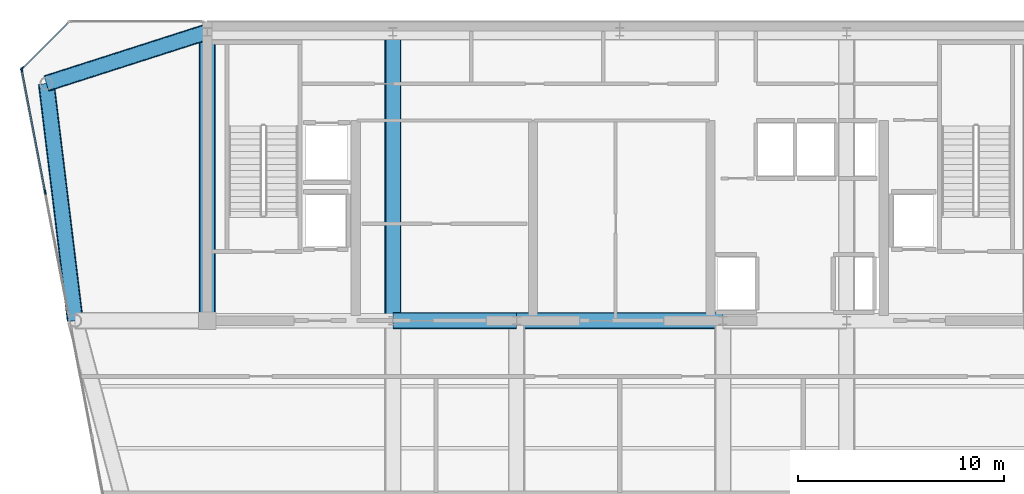
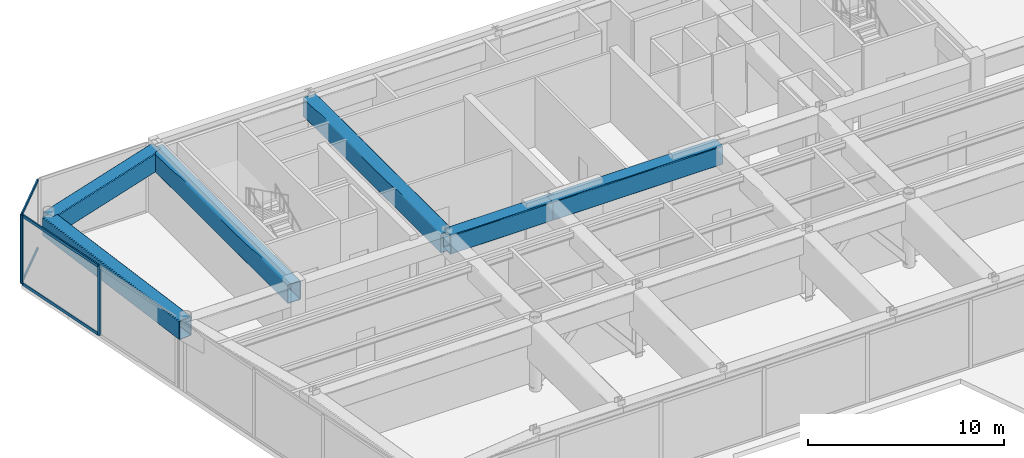
# One storey, part 4 of 14: 7 members, 6 beams, 2 elements without a shape of their own.
"""IFC4 building model written with IfcOpenShell, lengths in metres."""

from ifc_helpers import new_model, si_unit, direction, frame, origin, origin_2d, place, context, subcontext, project, spatial, rectangle, hollow_rectangle, extrude, source, transform, mapped, material, layer, layer_set, material_profile, profile_set, type_object, element, aggregate, save


model = new_model("IFC4")

# Units and contexts
model_context = context("Model", 3, precision=1e-05, world=origin(), true_north=direction((0.0, 1.0)))
body_context = subcontext(model_context, "Body", "Model", "MODEL_VIEW")
ifc_project = project(units=[si_unit("LENGTHUNIT", "METRE"), si_unit("AREAUNIT", "SQUARE_METRE"), si_unit("VOLUMEUNIT", "CUBIC_METRE"), si_unit("PLANEANGLEUNIT", "RADIAN"), si_unit("MASSUNIT", "GRAM", prefix="KILO")], contexts=[model_context])

# Site, building, storey
site_placement = place(None, origin())
site = spatial("IfcSite", under=ifc_project, at=site_placement, CompositionType="ELEMENT")
building_placement = place(site_placement, origin())
building = spatial("IfcBuilding", under=site, at=building_placement, Name="Vaeldorn Concourse Tower", CompositionType="ELEMENT")
storey_placement = place(building_placement, frame((0.0, 0.0, 303.800048828125)))
storey = spatial("IfcBuildingStorey", under=building, at=storey_placement, Name="L78", CompositionType="ELEMENT", Elevation=303.800048828125)

# Beams
ifc_material_1 = material(Name="Steel S460", Category="steel")
ifc_material_profile_1 = material_profile(ifc_material_1, hollow_rectangle(XDim=0.800048828125, YDim=1.199951171875, WallThickness=0.044921875, InnerFilletRadius=0.044921875, OuterFilletRadius=0.090087890625, at=origin_2d()), Name="RHS 1200x800x45")
ifc_profile_set_1 = profile_set([ifc_material_profile_1], Name="Steel S460")
beam_type = type_object("IfcBeamType", Name="BM-TG-RHS1200", PredefinedType="BEAM", material=ifc_profile_set_1)
shared_shape_1 = source(origin(), body_context, "Body", "SweptSolid", [
    extrude(hollow_rectangle(XDim=0.800048828125, YDim=1.199951171875, WallThickness=0.044921875, InnerFilletRadius=0.044921875, OuterFilletRadius=0.090087890625, at=origin_2d()), origin(), (0.0, 0.0, 1.0), 6.0),
])
beam_1_placement = place(storey_placement, frame((23.0, 36.5, 3.699951171875), z_axis=(1.0, 0.0, 0.0), x_axis=(0.0, 1.0, 0.0)))
element("IfcBeam", 1, at=beam_1_placement, inside=storey, type_object=beam_type, Name="Beam BM-L78-C-FC2-C-FC3", PredefinedType="BEAM", context=body_context, shape_type="MappedRepresentation", body=[
    mapped(shared_shape_1, transform((0.0, 0.0, 0.0), scale=1.0)),
])
shared_shape_2 = source(origin(), body_context, "Body", "SweptSolid", [
    extrude(hollow_rectangle(XDim=0.800048828125, YDim=1.199951171875, WallThickness=0.044921875, InnerFilletRadius=0.044921875, OuterFilletRadius=0.090087890625, at=origin_2d()), origin(), (0.0, 0.0, 1.0), 10.0),
])
beam_2_placement = place(storey_placement, frame((29.0, 36.5, 3.699951171875), z_axis=(1.0, 0.0, 0.0), x_axis=(0.0, 1.0, 0.0)))
element("IfcBeam", 2, at=beam_2_placement, inside=storey, type_object=beam_type, Name="Beam BM-L78-C-FC3-C-FC4", PredefinedType="BEAM", context=body_context, shape_type="MappedRepresentation", body=[
    mapped(shared_shape_2, transform((0.0, 0.0, 0.0), scale=1.0)),
])
shared_shape_3 = source(origin(), body_context, "Body", "SweptSolid", [
    extrude(hollow_rectangle(XDim=0.800048828125, YDim=1.199951171875, WallThickness=0.044921875, InnerFilletRadius=0.044921875, OuterFilletRadius=0.090087890625, at=origin_2d()), origin(), (0.0, 0.0, 1.0), 14.0),
])
for number, where, z_axis, x_axis, name in (
    (3, (14.0, 36.5, 3.699951171875), (0.0, 1.0, 0.0), (-1.0, 0.0, 0.0), "Beam BM-L78-C-FC1-C-HC1"),
    (4, (23.0, 36.5, 3.699951171875), (0.0, 1.0, 0.0), (-1.0, 0.0, 0.0), "Beam BM-L78-C-FC2-C-HC2"),
):
    element("IfcBeam", number, at=place(storey_placement, frame(where, z_axis=z_axis, x_axis=x_axis)), inside=storey, type_object=beam_type, Name=name, PredefinedType="BEAM", context=body_context, shape_type="MappedRepresentation", body=[
        mapped(shared_shape_3, transform((0.0, 0.0, 0.0), scale=1.0)),
    ])
shared_shape_4 = source(origin(), body_context, "Body", "SweptSolid", [
    extrude(hollow_rectangle(XDim=0.800048828125, YDim=1.199951171875, WallThickness=0.044921875, InnerFilletRadius=0.044921875, OuterFilletRadius=0.090087890625, at=origin_2d()), origin(), (0.0, 0.0, 1.0), 8.19091796875),
])
beam_3_placement = place(storey_placement, frame((6.199951171875, 48.0, 3.699951171875), z_axis=(0.952282843383, 0.305216949396, 0.0), x_axis=(-0.305216949396, 0.952282843383, 0.0)))
element("IfcBeam", 5, at=beam_3_placement, inside=storey, type_object=beam_type, Name="Beam BM-L78-C-NW1-C-HC1", PredefinedType="BEAM", context=body_context, shape_type="MappedRepresentation", body=[
    mapped(shared_shape_4, transform((0.0, 0.0, 0.0), scale=1.0)),
])
shared_shape_5 = source(origin(), body_context, "Body", "SweptSolid", [
    extrude(hollow_rectangle(XDim=0.800048828125, YDim=1.199951171875, WallThickness=0.044921875, InnerFilletRadius=0.044921875, OuterFilletRadius=0.090087890625, at=origin_2d()), origin(), (0.0, 0.0, 1.0), 11.5849609375),
])
beam_4_placement = place(storey_placement, frame((6.199951171875, 48.0, 3.699951171875), z_axis=(0.120859382899, -0.992669637677, 0.0), x_axis=(0.992669637677, 0.120859382899, 0.0)))
element("IfcBeam", 6, at=beam_4_placement, inside=storey, type_object=beam_type, Name="Beam BM-L78-C-NW1-C-NW2", PredefinedType="BEAM", context=body_context, shape_type="MappedRepresentation", body=[
    mapped(shared_shape_5, transform((0.0, 0.0, 0.0), scale=1.0)),
])

# Curtain wall, members
ifc_material_2 = material(Name="Anodised Bronze Aluminium", Category="aluminium")
ifc_layer = layer(ifc_material_2, 0.22998046875)
ifc_layer_set = layer_set([ifc_layer], Name="Anodised Bronze Aluminium")
curtain_wall_type = type_object("IfcCurtainWallType", Name="CW-SYS-07", PredefinedType="NOTDEFINED", material=ifc_layer_set)
curtain_wall_1_placement = place(storey_placement, origin())
curtain_wall_1 = element("IfcCurtainWall", 7, at=curtain_wall_1_placement, inside=storey, type_object=curtain_wall_type, Name="Unitised Curtain Wall CW-L78-E06-1", PredefinedType="NOTDEFINED")
ifc_material_profile_2 = material_profile(ifc_material_2, rectangle(XDim=0.074951171875, YDim=0.179931640625, at=origin_2d()), Name="CWT 75x180")
ifc_profile_set_2 = profile_set([ifc_material_profile_2], Name="Anodised Bronze Aluminium")
member_type_1 = type_object("IfcMemberType", Name="CWT-BRONZE-180", PredefinedType="USERDEFINED", material=ifc_profile_set_2)
shared_shape_6 = source(origin(), body_context, "Body", "SweptSolid", [
    extrude(rectangle(XDim=0.074951171875, YDim=0.179931640625, at=origin_2d()), origin(), (0.0, 0.0, 1.0), 3.10302734375),
])
member_1_placement = place(storey_placement, frame((7.2470703125, 50.947021484375, 0.037353515625), z_axis=(-0.707106781187, -0.707106781187, 0.0), x_axis=(0.707106781187, -0.707106781187, 0.0)))
member_1 = element("IfcMember", 8, at=member_1_placement, type_object=member_type_1, Name="CW-07 transom 1.1", ObjectType="TRANSOM", PredefinedType="USERDEFINED", context=body_context, shape_type="MappedRepresentation", body=[
    mapped(shared_shape_6, transform((0.0, 0.0, 0.0), scale=1.0)),
])
member_2_placement = place(storey_placement, frame((7.2470703125, 50.947021484375, 4.262451171875), z_axis=(-0.707106781187, -0.707106781187, 0.0), x_axis=(0.707106781187, -0.707106781187, 0.0)))
member_2 = element("IfcMember", 9, at=member_2_placement, type_object=member_type_1, Name="CW-07 transom 1.2", ObjectType="TRANSOM", PredefinedType="USERDEFINED", context=body_context, shape_type="MappedRepresentation", body=[
    mapped(shared_shape_6, transform((0.0, 0.0, 0.0), scale=1.0)),
])
ifc_material_profile_3 = material_profile(ifc_material_2, rectangle(XDim=0.074951171875, YDim=0.219970703125, at=origin_2d()), Name="CWM 75x220")
ifc_profile_set_3 = profile_set([ifc_material_profile_3], Name="Anodised Bronze Aluminium")
member_type_2 = type_object("IfcMemberType", Name="CWM-BRONZE-220", PredefinedType="MULLION", material=ifc_profile_set_3)
shared_shape_7 = source(origin(), body_context, "Body", "SweptSolid", [
    extrude(rectangle(XDim=0.074951171875, YDim=0.219970703125, at=origin_2d()), origin(), (0.0, 0.0, 1.0), 4.300048828125),
])
member_3_placement = place(storey_placement, frame((5.026611328125, 48.7265625, 0.0), z_axis=(0.0, 0.0, 1.0), x_axis=(0.707106781187, -0.707106781187, 0.0)))
member_3 = element("IfcMember", 10, at=member_3_placement, type_object=member_type_2, Name="CW-07 mullion 2", PredefinedType="MULLION", context=body_context, shape_type="MappedRepresentation", body=[
    mapped(shared_shape_7, transform((0.0, 0.0, 0.0), scale=1.0)),
])
aggregate(curtain_wall_1, [member_3, member_1, member_2])

curtain_wall_2_placement = place(storey_placement, origin())
curtain_wall_2 = element("IfcCurtainWall", 11, at=curtain_wall_2_placement, inside=storey, type_object=curtain_wall_type, Name="Unitised Curtain Wall CW-L78-E07-1", PredefinedType="NOTDEFINED")
member_4_placement = place(storey_placement, frame((5.007080078125, 48.6630859375, 0.0), z_axis=(0.0, 0.0, 1.0), x_axis=(0.982112384192, 0.188295684539, 0.0)))
member_4 = element("IfcMember", 12, at=member_4_placement, type_object=member_type_2, Name="CW-07 mullion 1", PredefinedType="MULLION", context=body_context, shape_type="MappedRepresentation", body=[
    mapped(shared_shape_7, transform((0.0, 0.0, 0.0), scale=1.0)),
])
member_5_placement = place(storey_placement, frame((6.142578125, 42.740966796875, 0.0), z_axis=(0.0, 0.0, 1.0), x_axis=(0.982112384192, 0.188295684539, 0.0)))
member_5 = element("IfcMember", 13, at=member_5_placement, type_object=member_type_2, Name="CW-07 mullion 2", PredefinedType="MULLION", context=body_context, shape_type="MappedRepresentation", body=[
    mapped(shared_shape_7, transform((0.0, 0.0, 0.0), scale=1.0)),
])
shared_shape_8 = source(origin(), body_context, "Body", "SweptSolid", [
    extrude(rectangle(XDim=0.074951171875, YDim=0.179931640625, at=origin_2d()), origin(), (0.0, 0.0, 1.0), 5.954833984375),
])
member_6_placement = place(storey_placement, frame((5.01416015625, 48.626220703125, 0.037353515625), z_axis=(0.188304504834, -0.982110693078, 0.0), x_axis=(0.982110693078, 0.188304504834, 0.0)))
member_6 = element("IfcMember", 14, at=member_6_placement, type_object=member_type_1, Name="CW-07 transom 1.1", ObjectType="TRANSOM", PredefinedType="USERDEFINED", context=body_context, shape_type="MappedRepresentation", body=[
    mapped(shared_shape_8, transform((0.0, 0.0, 0.0), scale=1.0)),
])
member_7_placement = place(storey_placement, frame((5.01416015625, 48.626220703125, 4.262451171875), z_axis=(0.188304504834, -0.982110693078, 0.0), x_axis=(0.982110693078, 0.188304504834, 0.0)))
member_7 = element("IfcMember", 15, at=member_7_placement, type_object=member_type_1, Name="CW-07 transom 1.2", ObjectType="TRANSOM", PredefinedType="USERDEFINED", context=body_context, shape_type="MappedRepresentation", body=[
    mapped(shared_shape_8, transform((0.0, 0.0, 0.0), scale=1.0)),
])
aggregate(curtain_wall_2, [member_4, member_5, member_6, member_7])

save(model, "model.ifc")
